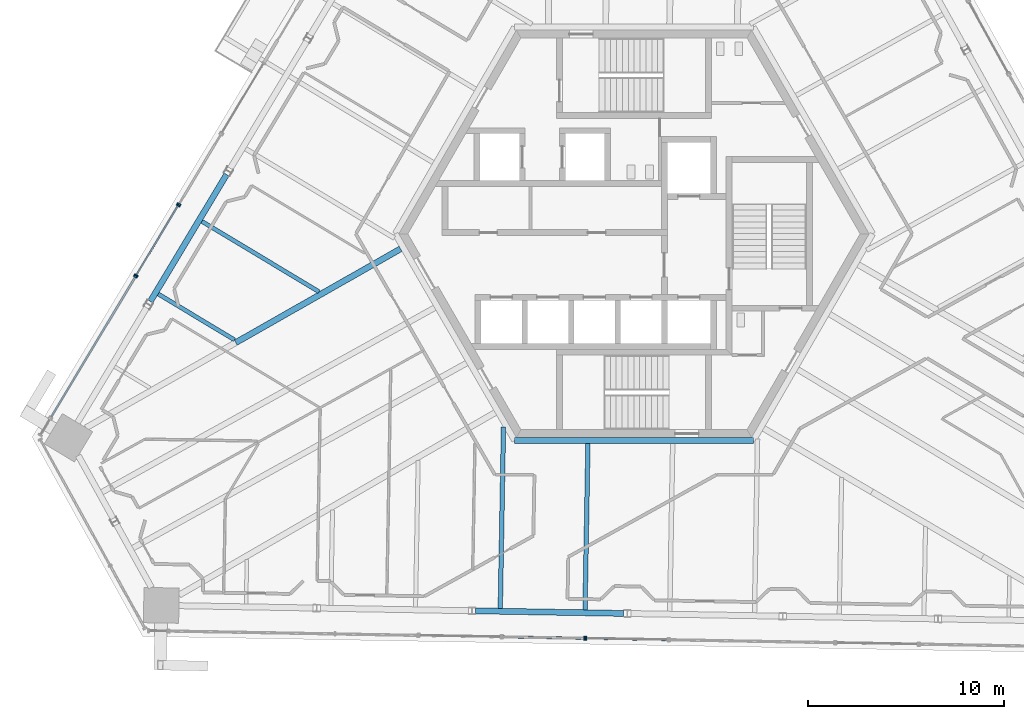
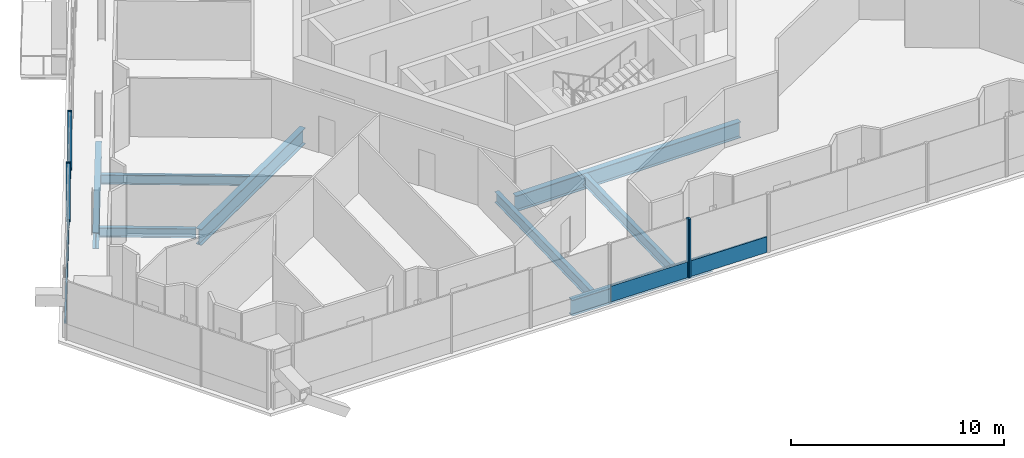
# One storey, part 5 of 24: 10 members, 8 beams, 5 elements without a shape of their own.
"""IFC4 building model written with IfcOpenShell, lengths in metres."""

from ifc_helpers import new_model, si_unit, direction, frame, origin, origin_2d, place, context, subcontext, project, spatial, rectangle, i_section, extrude, source, transform, mapped, material, material_profile, profile_set, type_object, element, aggregate, save


model = new_model("IFC4")

# Units and contexts
model_context = context("Model", 3, precision=1e-05, world=origin(), true_north=direction((0.0, 1.0)))
body_context = subcontext(model_context, "Body", "Model", "MODEL_VIEW")
ifc_project = project(units=[si_unit("LENGTHUNIT", "METRE"), si_unit("AREAUNIT", "SQUARE_METRE"), si_unit("VOLUMEUNIT", "CUBIC_METRE"), si_unit("PLANEANGLEUNIT", "RADIAN"), si_unit("MASSUNIT", "GRAM", prefix="KILO")], contexts=[model_context])

# Site, building, storey
site_placement = place(None, origin())
site = spatial("IfcSite", under=ifc_project, at=site_placement, CompositionType="ELEMENT")
building_placement = place(site_placement, origin())
building = spatial("IfcBuilding", under=site, at=building_placement, Name="Triune Harvest Tower", CompositionType="ELEMENT")
storey_placement = place(building_placement, frame((0.0, 0.0, 212.300048828125)))
storey = spatial("IfcBuildingStorey", under=building, at=storey_placement, Name="L55", CompositionType="ELEMENT", Elevation=212.300048828125)

# Curtain wall, member
ifc_material_1 = material(Name="Aluminium bronze anodised", Category="aluminium")
curtain_wall_type_1 = type_object("IfcCurtainWallType", Name="CW-10 Balcony window wall with insulated spandrel infill", PredefinedType="NOTDEFINED", material=ifc_material_1)
curtain_wall_1_placement = place(storey_placement, origin())
curtain_wall_1 = element("IfcCurtainWall", 1, at=curtain_wall_1_placement, inside=storey, type_object=curtain_wall_type_1, Name="CW-10 B5-F3 L55 run 3002")
ifc_material_2 = material(Name="Aluminium bronze anodised", Category="aluminium")
ifc_material_profile_1 = material_profile(ifc_material_2, rectangle(XDim=0.090087890625, YDim=0.14990234375, at=origin_2d()), Name="TR-6 transom 90 x 150")
ifc_profile_set_1 = profile_set([ifc_material_profile_1], Name="Aluminium bronze anodised")
member_type_1 = type_object("IfcMemberType", Name="TR-6 transom 90 x 150", PredefinedType="USERDEFINED", material=ifc_profile_set_1)
member_1_placement = place(storey_placement, frame((-25.451904296875, -2.21240234375, 0.074951171875), z_axis=(-0.515035269405, -0.857168986413, 0.0), x_axis=(0.857168986413, -0.515035269405, 0.0)))
member_1 = element("IfcMember", 2, at=member_1_placement, type_object=member_type_1, Name="CW-10 transom B5-F3 3002.1", ObjectType="TRANSOM", PredefinedType="USERDEFINED", context=body_context, shape_type="SweptSolid", body=[
    extrude(rectangle(XDim=0.090087890625, YDim=0.14990234375, at=origin_2d()), origin(), (0.0, 0.0, 1.0), 8.31689453125),
])

# Beams
ifc_material_3 = material(Name="Steel ASTM A992 Gr 50", Category="steel")
ifc_material_profile_2 = material_profile(ifc_material_3, i_section(OverallWidth=0.3046875, OverallDepth=0.914306640625, WebThickness=0.0166015625, FlangeThickness=0.02587890625, at=origin_2d()), Name="W36x160")
ifc_profile_set_2 = profile_set([ifc_material_profile_2], Name="Steel ASTM A992 Gr 50")
beam_type_1 = type_object("IfcBeamType", Name="CG-1 Core ring girder W36x160", PredefinedType="BEAM", material=ifc_profile_set_2)
shared_shape_1 = source(origin(), body_context, "Body", "SweptSolid", [
    extrude(i_section(OverallWidth=0.3046875, OverallDepth=0.914306640625, WebThickness=0.0166015625, FlangeThickness=0.02587890625, at=origin_2d()), origin(), (0.0, 0.0, 1.0), 12.17578125),
])
beam_1_placement = place(storey_placement, frame((-6.087890625, -10.544677734375, -0.6171875), z_axis=(1.0, 0.0, 0.0), x_axis=(0.0, 1.0, 0.0)))
element("IfcBeam", 3, at=beam_1_placement, inside=storey, type_object=beam_type_1, Name="beam/L55/CG5", PredefinedType="BEAM", context=body_context, shape_type="MappedRepresentation", body=[
    mapped(shared_shape_1, transform((0.0, 0.0, 0.0), scale=1.0)),
])
ifc_material_4 = material(Name="Steel ASTM A992 Gr 50", Category="steel")
ifc_material_profile_3 = material_profile(ifc_material_4, i_section(OverallWidth=0.307373046875, OverallDepth=0.922119140625, WebThickness=0.018310546875, FlangeThickness=0.030029296875, at=origin_2d()), Name="W36x182")
ifc_profile_set_3 = profile_set([ifc_material_profile_3], Name="Steel ASTM A992 Gr 50")
beam_type_2 = type_object("IfcBeamType", Name="HG-2 Hip girder W36x182", PredefinedType="BEAM", material=ifc_profile_set_3)
shared_shape_2 = source(origin(), body_context, "Body", "SweptSolid", [
    extrude(i_section(OverallWidth=0.307373046875, OverallDepth=0.922119140625, WebThickness=0.018310546875, FlangeThickness=0.030029296875, at=origin_2d()), origin(), (0.0, 0.0, 1.0), 9.672119140625),
])
beam_2_placement = place(storey_placement, frame((-20.31591796875, -5.549560546875, -0.62109375), z_axis=(0.869255664029, 0.494362812673, 0.0), x_axis=(-0.494362812673, 0.869255664029, 0.0)))
element("IfcBeam", 4, at=beam_2_placement, inside=storey, type_object=beam_type_2, Name="beam/L55/HG6", PredefinedType="BEAM", context=body_context, shape_type="MappedRepresentation", body=[
    mapped(shared_shape_2, transform((0.0, 0.0, 0.0), scale=1.0)),
])
ifc_material_5 = material(Name="Steel ASTM A992 Gr 50", Category="steel")
ifc_material_profile_4 = material_profile(ifc_material_5, i_section(OverallWidth=0.3046875, OverallDepth=0.914306640625, WebThickness=0.0166015625, FlangeThickness=0.02587890625, at=origin_2d()), Name="W36x160")
ifc_profile_set_4 = profile_set([ifc_material_profile_4], Name="Steel ASTM A992 Gr 50")
beam_type_3 = type_object("IfcBeamType", Name="SB-1 Spandrel beam W36x160", PredefinedType="SPANDREL", material=ifc_profile_set_4)
shared_shape_3 = source(origin(), body_context, "Body", "SweptSolid", [
    extrude(i_section(OverallWidth=0.3046875, OverallDepth=0.914306640625, WebThickness=0.0166015625, FlangeThickness=0.02587890625, at=origin_2d()), origin(), (0.0, 0.0, 1.0), 7.556396484375),
])
for number, where, z_axis, x_axis, name in (
    (5, (-20.785888671875, 3.02490234375, -0.6171875), (-0.51504205773, -0.85716490757, 0.0), (0.85716490757, -0.51504205773, 0.0), "beam/L55/SB13"),
    (6, (-8.078857421875, -19.23681640625, -0.6171875), (0.99984722371, -0.017479394688, 0.0), (0.017479394688, 0.99984722371, 0.0), "beam/L55/SB19"),
):
    element("IfcBeam", number, at=place(storey_placement, frame(where, z_axis=z_axis, x_axis=x_axis)), inside=storey, type_object=beam_type_3, Name=name, PredefinedType="SPANDREL", context=body_context, shape_type="MappedRepresentation", body=[
        mapped(shared_shape_3, transform((0.0, 0.0, 0.0), scale=1.0)),
    ])
ifc_material_6 = material(Name="Steel ASTM A992 Gr 50", Category="steel")
ifc_material_profile_5 = material_profile(ifc_material_6, i_section(OverallWidth=0.22900390625, OverallDepth=0.612060546875, WebThickness=0.011962890625, FlangeThickness=0.01953125, at=origin_2d()), Name="W24x84")
ifc_profile_set_5 = profile_set([ifc_material_profile_5], Name="Steel ASTM A992 Gr 50")
beam_type_4 = type_object("IfcBeamType", Name="JT-3 Floor joist W24x84", PredefinedType="JOIST", material=ifc_profile_set_5)
shared_shape_4 = source(origin(), body_context, "Body", "SweptSolid", [
    extrude(i_section(OverallWidth=0.22900390625, OverallDepth=0.612060546875, WebThickness=0.011962890625, FlangeThickness=0.01953125, at=origin_2d()), origin(), (0.0, 0.0, 1.0), 9.247314453125),
])
beam_3_placement = place(storey_placement, frame((-6.8203125, -19.1064453125, -0.466064453125), z_axis=(0.017451330541, 0.999847713936, 0.0), x_axis=(-0.999847713936, 0.017451330541, 0.0)))
element("IfcBeam", 7, at=beam_3_placement, inside=storey, type_object=beam_type_4, Name="beam/L55/JT28", PredefinedType="JOIST", context=body_context, shape_type="MappedRepresentation", body=[
    mapped(shared_shape_4, transform((0.0, 0.0, 0.0), scale=1.0)),
])
shared_shape_5 = source(origin(), body_context, "Body", "SweptSolid", [
    extrude(i_section(OverallWidth=0.22900390625, OverallDepth=0.612060546875, WebThickness=0.011962890625, FlangeThickness=0.01953125, at=origin_2d()), origin(), (0.0, 0.0, 1.0), 8.486083984375),
])
beam_4_placement = place(storey_placement, frame((-2.4970703125, -19.181884765625, -0.466064453125), z_axis=(0.017434191628, 0.999848012931, 0.0), x_axis=(-0.999848012931, 0.017434191628, 0.0)))
element("IfcBeam", 8, at=beam_4_placement, inside=storey, type_object=beam_type_4, Name="beam/L55/JT29", PredefinedType="JOIST", context=body_context, shape_type="MappedRepresentation", body=[
    mapped(shared_shape_5, transform((0.0, 0.0, 0.0), scale=1.0)),
])
ifc_material_7 = material(Name="Steel ASTM A992 Gr 50", Category="steel")
ifc_material_profile_6 = material_profile(ifc_material_7, i_section(OverallWidth=0.2099609375, OverallDepth=0.535888671875, WebThickness=0.010986328125, FlangeThickness=0.017333984375, at=origin_2d()), Name="W21x68")
ifc_profile_set_6 = profile_set([ifc_material_profile_6], Name="Steel ASTM A992 Gr 50")
beam_type_5 = type_object("IfcBeamType", Name="JT-2 Floor joist W21x68", PredefinedType="JOIST", material=ifc_profile_set_6)
shared_shape_6 = source(origin(), body_context, "Body", "SweptSolid", [
    extrude(i_section(OverallWidth=0.2099609375, OverallDepth=0.535888671875, WebThickness=0.010986328125, FlangeThickness=0.017333984375, at=origin_2d()), origin(), (0.0, 0.0, 1.0), 4.538818359375),
])
beam_5_placement = place(storey_placement, frame((-24.271484375, -3.072021484375, -0.427978515625), z_axis=(0.85717477652, -0.515025632855, 0.0), x_axis=(0.515025632855, 0.85717477652, 0.0)))
element("IfcBeam", 9, at=beam_5_placement, inside=storey, type_object=beam_type_5, Name="beam/L55/JT21", PredefinedType="JOIST", context=body_context, shape_type="MappedRepresentation", body=[
    mapped(shared_shape_6, transform((0.0, 0.0, 0.0), scale=1.0)),
])
shared_shape_7 = source(origin(), body_context, "Body", "SweptSolid", [
    extrude(i_section(OverallWidth=0.2099609375, OverallDepth=0.535888671875, WebThickness=0.010986328125, FlangeThickness=0.017333984375, at=origin_2d()), origin(), (0.0, 0.0, 1.0), 6.972900390625),
])
beam_6_placement = place(storey_placement, frame((-22.04443359375, 0.634521484375, -0.427978515625), z_axis=(0.857162181364, -0.515046594823, 0.0), x_axis=(0.515046594823, 0.857162181364, 0.0)))
element("IfcBeam", 10, at=beam_6_placement, inside=storey, type_object=beam_type_5, Name="beam/L55/JT20", PredefinedType="JOIST", context=body_context, shape_type="MappedRepresentation", body=[
    mapped(shared_shape_7, transform((0.0, 0.0, 0.0), scale=1.0)),
])

# Curtain wall, member
ifc_material_8 = material(Name="Aluminium bronze anodised", Category="aluminium")
curtain_wall_type_2 = type_object("IfcCurtainWallType", Name="CW-7 Tower stick curtain wall with insulated spandrel infill", PredefinedType="NOTDEFINED", material=ifc_material_8)
curtain_wall_2_placement = place(storey_placement, origin())
curtain_wall_2 = element("IfcCurtainWall", 11, at=curtain_wall_2_placement, inside=storey, type_object=curtain_wall_type_2, Name="CW-7 B5-F5 L55 run 2201")
ifc_material_9 = material(Name="Aluminium bronze anodised", Category="aluminium")
ifc_material_profile_7 = material_profile(ifc_material_9, rectangle(XDim=0.199951171875, YDim=0.074951171875, at=origin_2d()), Name="MU-1 mullion 75 x 200")
ifc_profile_set_7 = profile_set([ifc_material_profile_7], Name="Aluminium bronze anodised")
member_type_2 = type_object("IfcMemberType", Name="MU-1 mullion 75 x 200", PredefinedType="MULLION", material=ifc_profile_set_7)
shared_shape_8 = source(origin(), body_context, "Body", "SweptSolid", [
    extrude(rectangle(XDim=0.199951171875, YDim=0.074951171875, at=origin_2d()), origin(), (0.0, 0.0, 1.0), 3.349853515625),
])
member_2_placement = place(storey_placement, frame((-2.52490234375, -20.63623046875, 0.0), z_axis=(0.0, 0.0, 1.0), x_axis=(0.017442623768, 0.999847865866, 0.0)))
member_2 = element("IfcMember", 12, at=member_2_placement, type_object=member_type_2, Name="CW-7 mullion B5-F5 2201.2", PredefinedType="MULLION", context=body_context, shape_type="MappedRepresentation", body=[
    mapped(shared_shape_8, transform((0.0, 0.0, 0.0), scale=1.0)),
])

ifc_material_10 = material(Name="Aluminium bronze anodised", Category="aluminium")
curtain_wall_type_3 = type_object("IfcCurtainWallType", Name="CW-1 Tower stick curtain wall", PredefinedType="NOTDEFINED", material=ifc_material_10)
curtain_wall_3_placement = place(storey_placement, origin())
curtain_wall_3 = element("IfcCurtainWall", 13, at=curtain_wall_3_placement, inside=storey, type_object=curtain_wall_type_3, Name="CW-1 B5-F5 L55 run 3201")
member_3_placement = place(storey_placement, frame((-2.449951171875, -20.637451171875, 0.0), z_axis=(0.0, 0.0, 1.0), x_axis=(0.017466534713, 0.999847448447, 0.0)))
member_3 = element("IfcMember", 14, at=member_3_placement, type_object=member_type_2, Name="CW-1 mullion B5-F5 3201.1", PredefinedType="MULLION", context=body_context, shape_type="MappedRepresentation", body=[
    mapped(shared_shape_8, transform((0.0, 0.0, 0.0), scale=1.0)),
])

# Member
ifc_material_11 = material(Name="Aluminium bronze anodised", Category="aluminium")
ifc_material_profile_8 = material_profile(ifc_material_11, rectangle(XDim=0.090087890625, YDim=0.89990234375, at=origin_2d()), Name="TR-1 transom 90 x 900")
ifc_profile_set_8 = profile_set([ifc_material_profile_8], Name="Aluminium bronze anodised")
member_type_3 = type_object("IfcMemberType", Name="TR-1 transom 90 x 900", PredefinedType="USERDEFINED", material=ifc_profile_set_8)
shared_shape_9 = source(origin(), body_context, "Body", "SweptSolid", [
    extrude(rectangle(XDim=0.090087890625, YDim=0.89990234375, at=origin_2d()), origin(), (0.0, 0.0, 1.0), 4.10400390625),
])
member_4_placement = place(storey_placement, frame((-6.665771484375, -20.56396484375, 0.449951171875), z_axis=(0.999848076182, -0.017430563832, 0.0), x_axis=(0.017430563832, 0.999848076182, 0.0)))
member_4 = element("IfcMember", 15, at=member_4_placement, type_object=member_type_3, Name="CW-7 transom B5-F5 2201.1", ObjectType="TRANSOM", PredefinedType="USERDEFINED", context=body_context, shape_type="MappedRepresentation", body=[
    mapped(shared_shape_9, transform((0.0, 0.0, 0.0), scale=1.0)),
])

aggregate(curtain_wall_2, [member_2, member_4])

member_5_placement = place(storey_placement, frame((-2.41259765625, -20.63818359375, 0.449951171875), z_axis=(0.999848076182, -0.017430563832, 0.0), x_axis=(0.017430563832, 0.999848076182, 0.0)))
member_5 = element("IfcMember", 16, at=member_5_placement, type_object=member_type_3, Name="CW-1 transom B5-F5 3201.1", ObjectType="TRANSOM", PredefinedType="USERDEFINED", context=body_context, shape_type="MappedRepresentation", body=[
    mapped(shared_shape_9, transform((0.0, 0.0, 0.0), scale=1.0)),
])

aggregate(curtain_wall_3, [member_3, member_5])

# Curtain wall, member
curtain_wall_4_placement = place(storey_placement, origin())
curtain_wall_4 = element("IfcCurtainWall", 17, at=curtain_wall_4_placement, inside=storey, type_object=curtain_wall_type_1, Name="CW-10 B5-F3 L55 run 1002")
ifc_material_12 = material(Name="Aluminium bronze anodised", Category="aluminium")
ifc_material_profile_9 = material_profile(ifc_material_12, rectangle(XDim=0.199951171875, YDim=0.074951171875, at=origin_2d()), Name="MU-6 mullion 75 x 200")
ifc_profile_set_9 = profile_set([ifc_material_profile_9], Name="Aluminium bronze anodised")
member_type_4 = type_object("IfcMemberType", Name="MU-6 mullion 75 x 200", PredefinedType="MULLION", material=ifc_profile_set_9)
shared_shape_10 = source(origin(), body_context, "Body", "SweptSolid", [
    extrude(rectangle(XDim=0.199951171875, YDim=0.074951171875, at=origin_2d()), origin(), (0.0, 0.0, 1.0), 3.349853515625),
])
member_6_placement = place(storey_placement, frame((-23.213623046875, 1.512451171875, 0.0), z_axis=(0.0, 0.0, 1.0), x_axis=(0.857171777444, -0.515030624286, 0.0)))
member_6 = element("IfcMember", 18, at=member_6_placement, type_object=member_type_4, Name="CW-10 mullion B5-F3 1002.2", PredefinedType="MULLION", context=body_context, shape_type="MappedRepresentation", body=[
    mapped(shared_shape_10, transform((0.0, 0.0, 0.0), scale=1.0)),
])
aggregate(curtain_wall_4, [member_6])

# Curtain wall, members
ifc_material_13 = material(Name="Aluminium bronze anodised", Category="aluminium")
curtain_wall_type_4 = type_object("IfcCurtainWallType", Name="CW-6 Balcony window wall", PredefinedType="NOTDEFINED", material=ifc_material_13)
curtain_wall_5_placement = place(storey_placement, origin())
curtain_wall_5 = element("IfcCurtainWall", 19, at=curtain_wall_5_placement, inside=storey, type_object=curtain_wall_type_4, Name="CW-6 B5-F3 L55 run 2002")
member_7_placement = place(storey_placement, frame((-23.252197265625, 1.4482421875, 0.0), z_axis=(0.0, 0.0, 1.0), x_axis=(0.857165511361, -0.515041052863, 0.0)))
member_7 = element("IfcMember", 20, at=member_7_placement, type_object=member_type_4, Name="CW-6 mullion B5-F3 2002.1", PredefinedType="MULLION", context=body_context, shape_type="MappedRepresentation", body=[
    mapped(shared_shape_10, transform((0.0, 0.0, 0.0), scale=1.0)),
])
member_8_placement = place(storey_placement, frame((-25.39404296875, -2.115966796875, 0.0), z_axis=(0.0, 0.0, 1.0), x_axis=(0.857165511361, -0.515041052863, 0.0)))
member_8 = element("IfcMember", 21, at=member_8_placement, type_object=member_type_4, Name="CW-6 mullion B5-F3 2002.2", PredefinedType="MULLION", context=body_context, shape_type="MappedRepresentation", body=[
    mapped(shared_shape_10, transform((0.0, 0.0, 0.0), scale=1.0)),
])

# Member
member_9_placement = place(storey_placement, frame((-25.4326171875, -2.180419921875, 0.0), z_axis=(0.0, 0.0, 1.0), x_axis=(0.857168644445, -0.515035838539, 0.0)))
member_9 = element("IfcMember", 22, at=member_9_placement, type_object=member_type_4, Name="CW-10 mullion B5-F3 3002.1", PredefinedType="MULLION", context=body_context, shape_type="MappedRepresentation", body=[
    mapped(shared_shape_10, transform((0.0, 0.0, 0.0), scale=1.0)),
])

aggregate(curtain_wall_1, [member_9, member_1])

shared_shape_11 = source(origin(), body_context, "Body", "SweptSolid", [
    extrude(rectangle(XDim=0.090087890625, YDim=0.14990234375, at=origin_2d()), origin(), (0.0, 0.0, 1.0), 4.083251953125),
])
member_10_placement = place(storey_placement, frame((-23.271728515625, 1.416015625, 0.074951171875), z_axis=(-0.515040805886, -0.85716565976, 0.0), x_axis=(0.85716565976, -0.515040805886, 0.0)))
member_10 = element("IfcMember", 23, at=member_10_placement, type_object=member_type_1, Name="CW-6 transom B5-F3 2002.1", ObjectType="TRANSOM", PredefinedType="USERDEFINED", context=body_context, shape_type="MappedRepresentation", body=[
    mapped(shared_shape_11, transform((0.0, 0.0, 0.0), scale=1.0)),
])

aggregate(curtain_wall_5, [member_7, member_8, member_10])

save(model, "model.ifc")
